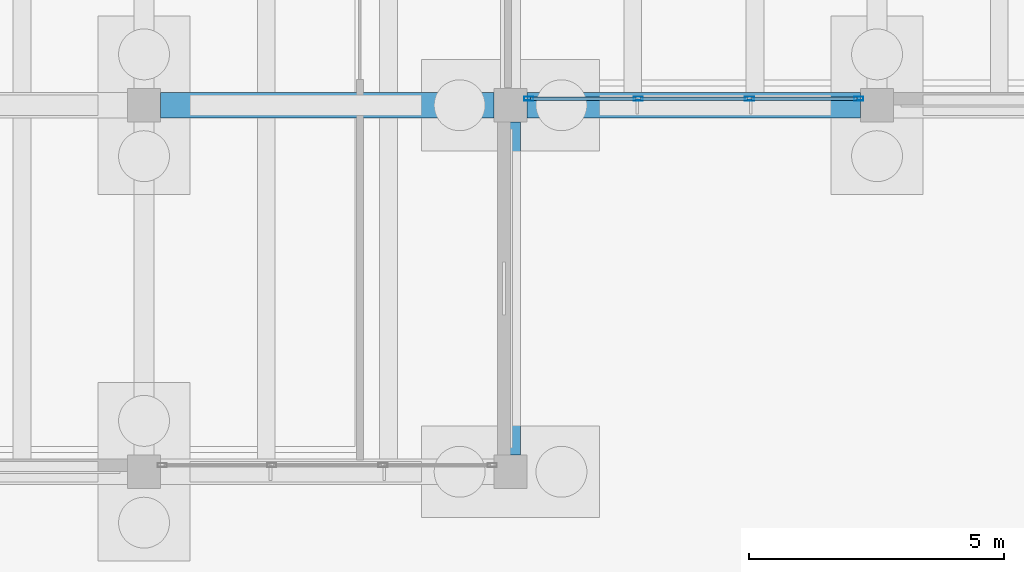
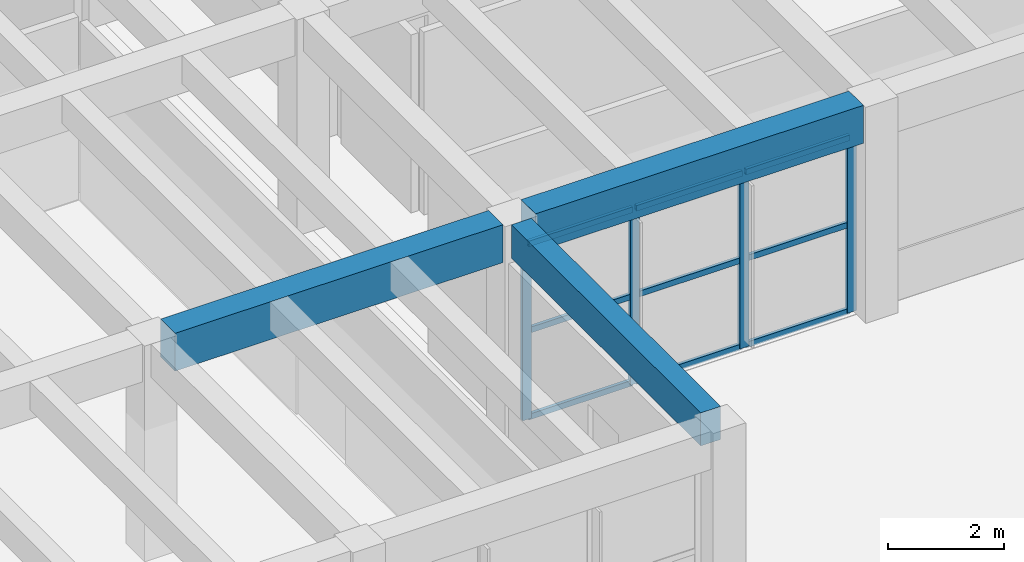
# One storey, part 59 of 155: 13 members, 3 beams, 1 element without a shape of its own.
"""IFC4 building model written with IfcOpenShell, lengths in metres."""

from ifc_helpers import new_model, si_unit, direction, frame, origin, origin_2d, place, context, subcontext, project, spatial, rectangle, hollow_rectangle, extrude, material, material_profile, profile_set, type_object, element, aggregate, save


model = new_model("IFC4")

# Units and contexts
model_context = context("Model", 3, precision=1e-05, world=origin(), true_north=direction((0.0, 1.0)))
body_context = subcontext(model_context, "Body", "Model", "MODEL_VIEW")
ifc_project = project(units=[si_unit("LENGTHUNIT", "METRE"), si_unit("AREAUNIT", "SQUARE_METRE"), si_unit("VOLUMEUNIT", "CUBIC_METRE"), si_unit("PLANEANGLEUNIT", "RADIAN"), si_unit("MASSUNIT", "GRAM", prefix="KILO")], contexts=[model_context])

# Site, building, storey
site_placement = place(None, origin())
site = spatial("IfcSite", under=ifc_project, at=site_placement, CompositionType="ELEMENT")
building_placement = place(site_placement, origin())
building = spatial("IfcBuilding", under=site, at=building_placement, Name="Bramvelor Terrace Health Centre", CompositionType="ELEMENT")
storey_placement = place(building_placement, origin())
storey = spatial("IfcBuildingStorey", under=building, at=storey_placement, Name="L01", CompositionType="ELEMENT", Elevation=0.0)

# Beams
ifc_material_1 = material(Name="Concrete C40/50", Category="concrete")
ifc_material_profile_1 = material_profile(ifc_material_1, rectangle(XDim=0.39990234375, YDim=0.699951171875, at=origin_2d()), Name="RC 400x700")
ifc_profile_set_1 = profile_set([ifc_material_profile_1], Name="Concrete C40/50")
beam_type_1 = type_object("IfcBeamType", Name="BM-RC-G700", PredefinedType="BEAM", material=ifc_profile_set_1)
beam_1_placement = place(storey_placement, frame((14.39990234375, 72.324951171875, 4.2099609375), z_axis=(0.0, 1.0, 0.0), x_axis=(-1.0, 0.0, 0.0)))
element("IfcBeam", 1, at=beam_1_placement, inside=storey, type_object=beam_type_1, Name="L01 Floor Girder", PredefinedType="BEAM", context=body_context, shape_type="SweptSolid", body=[
    extrude(rectangle(XDim=0.39990234375, YDim=0.699951171875, at=origin_2d()), origin(), (0.0, 0.0, 1.0), 6.550048828125),
])
ifc_material_2 = material(Name="Concrete C40/50", Category="concrete")
ifc_material_profile_2 = material_profile(ifc_material_2, rectangle(XDim=0.5, YDim=0.800048828125, at=origin_2d()), Name="RC 500x800")
ifc_profile_set_2 = profile_set([ifc_material_profile_2], Name="Concrete C40/50")
beam_type_2 = type_object("IfcBeamType", Name="BM-RC-G800", PredefinedType="BEAM", material=ifc_profile_set_2)
beam_2_placement = place(storey_placement, frame((7.52490234375, 79.199951171875, 4.159912109375), z_axis=(1.0, 0.0, 0.0), x_axis=(0.0, 1.0, 0.0)))
element("IfcBeam", 2, at=beam_2_placement, inside=storey, type_object=beam_type_2, Name="L01 Floor Girder", PredefinedType="BEAM", context=body_context, shape_type="SweptSolid", body=[
    extrude(rectangle(XDim=0.5, YDim=0.800048828125, at=origin_2d()), origin(), (0.0, 0.0, 1.0), 6.550048828125),
])
beam_3_placement = place(storey_placement, frame((14.72509765625, 79.199951171875, 4.159912109375), z_axis=(1.0, 0.0, 0.0), x_axis=(0.0, 1.0, 0.0)))
element("IfcBeam", 3, at=beam_3_placement, inside=storey, type_object=beam_type_2, Name="L01 Floor Girder", PredefinedType="BEAM", context=body_context, shape_type="SweptSolid", body=[
    extrude(rectangle(XDim=0.5, YDim=0.800048828125, at=origin_2d()), origin(), (0.0, 0.0, 1.0), 6.5498046875),
])

# Curtain wall, members
ifc_material_3 = material(Name="Anodized aluminium and double low-E glass", Category="aluminium")
curtain_wall_type = type_object("IfcCurtainWallType", Name="CW-SYS-02", PredefinedType="NOTDEFINED", material=ifc_material_3)
curtain_wall_placement = place(storey_placement, origin())
curtain_wall = element("IfcCurtainWall", 4, at=curtain_wall_placement, inside=storey, type_object=curtain_wall_type, Name="L01 Unitized Curtain Wall 13", PredefinedType="NOTDEFINED")
ifc_material_4 = material(Name="Anodized aluminium 6063-T6", Category="aluminium")
ifc_material_profile_3 = material_profile(ifc_material_4, hollow_rectangle(XDim=0.074951171875, YDim=0.179931640625, WallThickness=0.00341796875, at=origin_2d()), Name="ALU-MUL 75x180x3.5")
ifc_profile_set_3 = profile_set([ifc_material_profile_3], Name="Anodized aluminium 6063-T6")
member_type_1 = type_object("IfcMemberType", Name="CW-MUL-65x180", PredefinedType="MULLION", material=ifc_profile_set_3)
member_1_placement = place(storey_placement, frame((21.242431640625, 79.330078125, 0.0), z_axis=(0.0, 0.0, 1.0), x_axis=(0.0, -1.0, 0.0)))
member_1 = element("IfcMember", 5, at=member_1_placement, type_object=member_type_1, Name="CW-02 mullion 1", PredefinedType="MULLION", context=body_context, shape_type="SweptSolid", body=[
    extrude(hollow_rectangle(XDim=0.074951171875, YDim=0.179931640625, WallThickness=0.00341796875, at=origin_2d()), origin(), (0.0, 0.0, 1.0), 3.719970703125),
])
member_2_placement = place(storey_placement, frame((19.09326171875, 79.330078125, 0.0), z_axis=(0.0, 0.0, 1.0), x_axis=(0.0, -1.0, 0.0)))
member_2 = element("IfcMember", 6, at=member_2_placement, type_object=member_type_1, Name="CW-02 mullion 2", PredefinedType="MULLION", context=body_context, shape_type="SweptSolid", body=[
    extrude(hollow_rectangle(XDim=0.074951171875, YDim=0.179931640625, WallThickness=0.00341796875, at=origin_2d()), origin(), (0.0, 0.0, 1.0), 3.719970703125),
])
member_3_placement = place(storey_placement, frame((16.90673828125, 79.330078125, 0.0), z_axis=(0.0, 0.0, 1.0), x_axis=(0.0, -1.0, 0.0)))
member_3 = element("IfcMember", 7, at=member_3_placement, type_object=member_type_1, Name="CW-02 mullion 3", PredefinedType="MULLION", context=body_context, shape_type="SweptSolid", body=[
    extrude(hollow_rectangle(XDim=0.074951171875, YDim=0.179931640625, WallThickness=0.00341796875, at=origin_2d()), origin(), (0.0, 0.0, 1.0), 3.719970703125),
])
member_4_placement = place(storey_placement, frame((14.757568359375, 79.330078125, 0.0), z_axis=(0.0, 0.0, 1.0), x_axis=(0.0, -1.0, 0.0)))
member_4 = element("IfcMember", 8, at=member_4_placement, type_object=member_type_1, Name="CW-02 mullion 4", PredefinedType="MULLION", context=body_context, shape_type="SweptSolid", body=[
    extrude(hollow_rectangle(XDim=0.074951171875, YDim=0.179931640625, WallThickness=0.00341796875, at=origin_2d()), origin(), (0.0, 0.0, 1.0), 3.719970703125),
])
ifc_material_5 = material(Name="Anodized aluminium 6063-T6", Category="aluminium")
ifc_material_profile_4 = material_profile(ifc_material_5, hollow_rectangle(XDim=0.06494140625, YDim=0.1201171875, WallThickness=0.0029296875, at=origin_2d()), Name="ALU-TRN 65x120x3.0")
ifc_profile_set_4 = profile_set([ifc_material_profile_4], Name="Anodized aluminium 6063-T6")
member_type_2 = type_object("IfcMemberType", Name="CW-TRN-65x150", PredefinedType="USERDEFINED", material=ifc_profile_set_4)
member_5_placement = place(storey_placement, frame((21.205078125, 79.330078125, 0.032470703125), z_axis=(-1.0, 0.0, 0.0), x_axis=(0.0, -1.0, 0.0)))
member_5 = element("IfcMember", 9, at=member_5_placement, type_object=member_type_2, Name="CW-02 transom 1.1", ObjectType="TRANSOM", PredefinedType="USERDEFINED", context=body_context, shape_type="SweptSolid", body=[
    extrude(hollow_rectangle(XDim=0.06494140625, YDim=0.1201171875, WallThickness=0.0029296875, at=origin_2d()), origin(), (0.0, 0.0, 1.0), 2.07421875),
])
member_6_placement = place(storey_placement, frame((21.205078125, 79.330078125, 1.860107421875), z_axis=(-1.0, 0.0, 0.0), x_axis=(0.0, -1.0, 0.0)))
member_6 = element("IfcMember", 10, at=member_6_placement, type_object=member_type_2, Name="CW-02 transom 1.2", ObjectType="TRANSOM", PredefinedType="USERDEFINED", context=body_context, shape_type="SweptSolid", body=[
    extrude(hollow_rectangle(XDim=0.06494140625, YDim=0.1201171875, WallThickness=0.0029296875, at=origin_2d()), origin(), (0.0, 0.0, 1.0), 2.07421875),
])
member_7_placement = place(storey_placement, frame((21.205078125, 79.330078125, 3.6875), z_axis=(-1.0, 0.0, 0.0), x_axis=(0.0, -1.0, 0.0)))
member_7 = element("IfcMember", 11, at=member_7_placement, type_object=member_type_2, Name="CW-02 transom 1.3", ObjectType="TRANSOM", PredefinedType="USERDEFINED", context=body_context, shape_type="SweptSolid", body=[
    extrude(hollow_rectangle(XDim=0.06494140625, YDim=0.1201171875, WallThickness=0.0029296875, at=origin_2d()), origin(), (0.0, 0.0, 1.0), 2.07421875),
])
member_8_placement = place(storey_placement, frame((19.055908203125, 79.330078125, 0.032470703125), z_axis=(-1.0, 0.0, 0.0), x_axis=(0.0, -1.0, 0.0)))
member_8 = element("IfcMember", 12, at=member_8_placement, type_object=member_type_2, Name="CW-02 transom 2.1", ObjectType="TRANSOM", PredefinedType="USERDEFINED", context=body_context, shape_type="SweptSolid", body=[
    extrude(hollow_rectangle(XDim=0.06494140625, YDim=0.1201171875, WallThickness=0.0029296875, at=origin_2d()), origin(), (0.0, 0.0, 1.0), 2.11181640625),
])
member_9_placement = place(storey_placement, frame((19.055908203125, 79.330078125, 1.860107421875), z_axis=(-1.0, 0.0, 0.0), x_axis=(0.0, -1.0, 0.0)))
member_9 = element("IfcMember", 13, at=member_9_placement, type_object=member_type_2, Name="CW-02 transom 2.2", ObjectType="TRANSOM", PredefinedType="USERDEFINED", context=body_context, shape_type="SweptSolid", body=[
    extrude(hollow_rectangle(XDim=0.06494140625, YDim=0.1201171875, WallThickness=0.0029296875, at=origin_2d()), origin(), (0.0, 0.0, 1.0), 2.11181640625),
])
member_10_placement = place(storey_placement, frame((19.055908203125, 79.330078125, 3.6875), z_axis=(-1.0, 0.0, 0.0), x_axis=(0.0, -1.0, 0.0)))
member_10 = element("IfcMember", 14, at=member_10_placement, type_object=member_type_2, Name="CW-02 transom 2.3", ObjectType="TRANSOM", PredefinedType="USERDEFINED", context=body_context, shape_type="SweptSolid", body=[
    extrude(hollow_rectangle(XDim=0.06494140625, YDim=0.1201171875, WallThickness=0.0029296875, at=origin_2d()), origin(), (0.0, 0.0, 1.0), 2.11181640625),
])
member_11_placement = place(storey_placement, frame((16.869140625, 79.330078125, 0.032470703125), z_axis=(-1.0, 0.0, 0.0), x_axis=(0.0, -1.0, 0.0)))
member_11 = element("IfcMember", 15, at=member_11_placement, type_object=member_type_2, Name="CW-02 transom 3.1", ObjectType="TRANSOM", PredefinedType="USERDEFINED", context=body_context, shape_type="SweptSolid", body=[
    extrude(hollow_rectangle(XDim=0.06494140625, YDim=0.1201171875, WallThickness=0.0029296875, at=origin_2d()), origin(), (0.0, 0.0, 1.0), 2.07421875),
])
member_12_placement = place(storey_placement, frame((16.869140625, 79.330078125, 1.860107421875), z_axis=(-1.0, 0.0, 0.0), x_axis=(0.0, -1.0, 0.0)))
member_12 = element("IfcMember", 16, at=member_12_placement, type_object=member_type_2, Name="CW-02 transom 3.2", ObjectType="TRANSOM", PredefinedType="USERDEFINED", context=body_context, shape_type="SweptSolid", body=[
    extrude(hollow_rectangle(XDim=0.06494140625, YDim=0.1201171875, WallThickness=0.0029296875, at=origin_2d()), origin(), (0.0, 0.0, 1.0), 2.07421875),
])
member_13_placement = place(storey_placement, frame((16.869140625, 79.330078125, 3.6875), z_axis=(-1.0, 0.0, 0.0), x_axis=(0.0, -1.0, 0.0)))
member_13 = element("IfcMember", 17, at=member_13_placement, type_object=member_type_2, Name="CW-02 transom 3.3", ObjectType="TRANSOM", PredefinedType="USERDEFINED", context=body_context, shape_type="SweptSolid", body=[
    extrude(hollow_rectangle(XDim=0.06494140625, YDim=0.1201171875, WallThickness=0.0029296875, at=origin_2d()), origin(), (0.0, 0.0, 1.0), 2.07421875),
])
aggregate(curtain_wall, [member_1, member_2, member_3, member_4, member_5, member_6, member_7, member_8, member_9, member_10, member_11, member_12, member_13])

save(model, "model.ifc")
